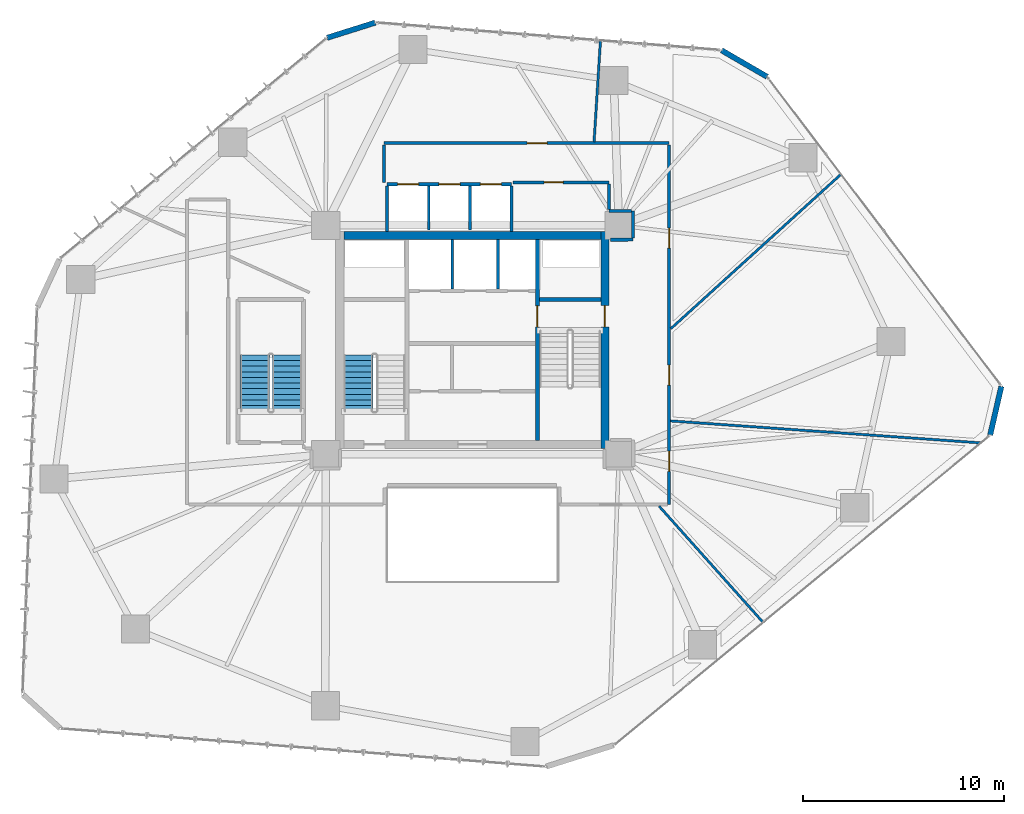
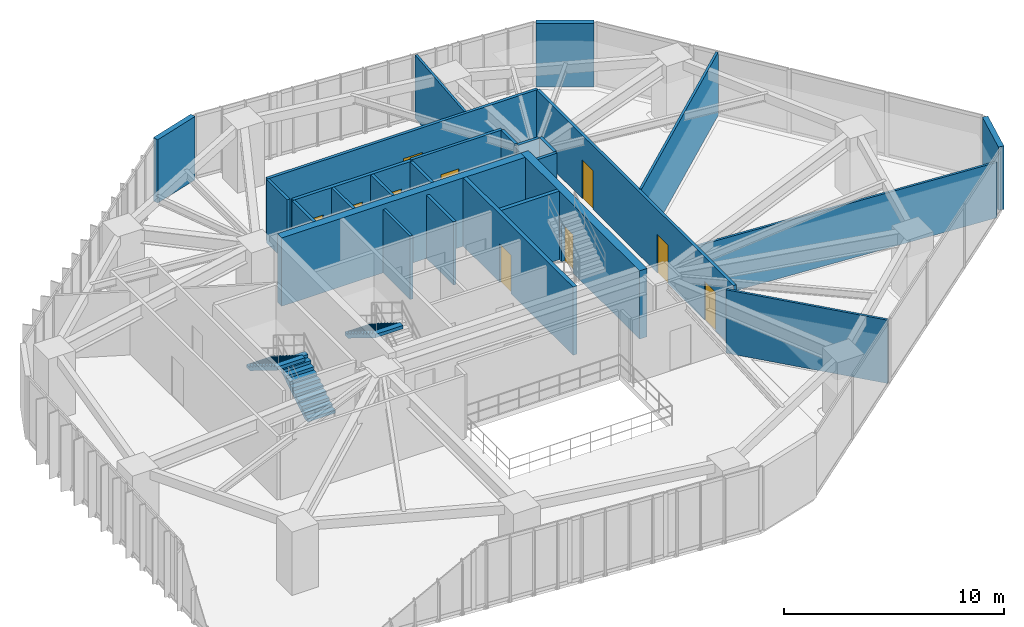
# One storey, part 19 of 23: 26 walls, 10 doors, 3 stair flights, 10 openings, 2 elements without a shape of their own.
"""IFC4 building model written with IfcOpenShell, lengths in metres."""

from ifc_helpers import new_model, si_unit, direction, frame, frame_2d, origin, place, context, subcontext, project, spatial, polyline, rectangle, outline, extrude, source, transform, mapped, material, layer, layer_set, type_object, type_shapes, element, fill, aggregate, save


model = new_model("IFC4")

# Units and contexts
model_context = context("Model", 3, precision=1e-05, world=origin(), true_north=direction((0.0, 1.0)))
body_context = subcontext(model_context, "Body", "Model", "MODEL_VIEW")
ifc_project = project(units=[si_unit("LENGTHUNIT", "METRE"), si_unit("AREAUNIT", "SQUARE_METRE"), si_unit("VOLUMEUNIT", "CUBIC_METRE"), si_unit("PLANEANGLEUNIT", "RADIAN"), si_unit("MASSUNIT", "GRAM", prefix="KILO")], contexts=[model_context])

# Site, building, storey
site_placement = place(None, origin())
site = spatial("IfcSite", under=ifc_project, at=site_placement, CompositionType="ELEMENT")
building_placement = place(site_placement, origin())
building = spatial("IfcBuilding", under=site, at=building_placement, Name="Talar Marvaseh", CompositionType="ELEMENT")
storey_placement = place(building_placement, frame((0.0, 0.0, 77.199951171875)))
storey = spatial("IfcBuildingStorey", under=building, at=storey_placement, Name="L19", CompositionType="ELEMENT", Elevation=77.199951171875)

# Walls
ifc_material_1 = material(Name="Precast concrete C45/55", Category="concrete")
ifc_layer_1 = layer(ifc_material_1, 0.27001953125)
ifc_layer_set_1 = layer_set([ifc_layer_1], Name="Precast concrete C45/55")
wall_type_1 = type_object("IfcWallType", Name="Chamfered Hexagonal Corner Pier Wall Z1 270", PredefinedType="SOLIDWALL", material=ifc_layer_set_1)
wall_1_placement = place(storey_placement, frame((18.77099609375, 46.24365234375, 0.0), z_axis=(0.0, 0.0, 1.0), x_axis=(0.953718948619, 0.300699462994, 0.0)))
element("IfcWall", 1, at=wall_1_placement, inside=storey, type_object=wall_type_1, Name="L19 Chamfered Corner Limestone Pier 3", PredefinedType="SOLIDWALL", context=body_context, shape_type="SweptSolid", body=[
    extrude(rectangle(XDim=2.51611328125, YDim=0.27001953125, at=frame_2d((1.258056640625, 0.0))), origin(), (0.0, 0.0, 1.0), 3.52001953125),
])
wall_2_placement = place(storey_placement, frame((38.41162109375, 45.621337890625, 0.0), z_axis=(0.0, 0.0, 1.0), x_axis=(0.864907560667, -0.501931182038, 0.0)))
element("IfcWall", 2, at=wall_2_placement, inside=storey, type_object=wall_type_1, Name="L19 Chamfered Corner Limestone Pier 4", PredefinedType="SOLIDWALL", context=body_context, shape_type="SweptSolid", body=[
    extrude(rectangle(XDim=2.623291015625, YDim=0.27001953125, at=frame_2d((1.3115234375, 0.0))), origin(), (0.0, 0.0, 1.0), 3.52001953125),
])
wall_3_placement = place(storey_placement, frame((52.344970703125, 28.8837890625, 0.0), z_axis=(0.0, 0.0, 1.0), x_axis=(-0.223689349605, -0.974660492106, 0.0)))
element("IfcWall", 3, at=wall_3_placement, inside=storey, type_object=wall_type_1, Name="L19 Chamfered Corner Limestone Pier 5", PredefinedType="SOLIDWALL", context=body_context, shape_type="SweptSolid", body=[
    extrude(rectangle(XDim=2.484130859375, YDim=0.27001953125, at=frame_2d((1.2421875, 0.0))), origin(), (0.0, 0.0, 1.0), 3.52001953125),
])

# Wall, opening, door
ifc_material_2 = material(Name="Gypsum Board Partition Assembly")
ifc_layer_2 = layer(ifc_material_2, 0.155029296875)
ifc_layer_set_2 = layer_set([ifc_layer_2], Name="Gypsum Board Partition Assembly")
wall_type_2 = type_object("IfcWallType", Name="Corridor Fire-Rated Acoustic Partition 155", PredefinedType="PARTITIONING", material=ifc_layer_set_2)
wall_4_placement = place(storey_placement, frame((32.800048828125, 39.0400390625, 0.0), z_axis=(0.0, 0.0, 1.0), x_axis=(-1.0, 0.0, 0.0)))
wall_4 = element("IfcWall", 4, at=wall_4_placement, inside=storey, type_object=wall_type_2, Name="L19 Interior Partition Wall", PredefinedType="PARTITIONING", context=body_context, shape_type="SweptSolid", body=[
    extrude(rectangle(XDim=4.77001953125, YDim=0.155029296875, at=frame_2d((2.385009765625, 0.0))), origin(), (0.0, 0.0, 1.0), 3.52001953125),
])
opening_1_placement = place(wall_4_placement, frame((2.27392578125, 0.0, 0.0)))
opening_1 = element("IfcOpeningElement", 5, at=opening_1_placement, cuts=wall_4, Name="Opening DR-WC095", PredefinedType="OPENING", context=body_context, shape_type="SweptSolid", body=[
    extrude(rectangle(XDim=0.949951171875, YDim=2.14990234375, at=frame_2d((0.47509765625, 1.074951171875))), frame((0.0, 0.08740234375, 0.0), z_axis=(0.0, -1.0, 0.0), x_axis=(1.0, 0.0, 0.0)), (0.0, 0.0, 1.0), 0.175048828125),
])
ifc_material_3 = material(Name="Acoustic Engineered Oak Timber", Category="wood")
door_type_1 = type_object("IfcDoorType", Name="Washroom and Service Room Door 950x2150", OperationType="NOTDEFINED", PredefinedType="DOOR", material=ifc_material_3)
shared_shape_1 = source(origin(), body_context, "Body", "SweptSolid", [
    extrude(rectangle(XDim=0.949951171875, YDim=2.14990234375, at=frame_2d((0.47509765625, 1.074951171875))), frame((0.0, 0.02490234375, 0.0), z_axis=(0.0, -1.0, 0.0), x_axis=(1.0, 0.0, 0.0)), (0.0, 0.0, 1.0), 0.050048828125),
])
type_shapes(door_type_1, [shared_shape_1])
door_1_placement = place(opening_1_placement, origin())
door_1 = element("IfcDoor", 6, at=door_1_placement, inside=storey, type_object=door_type_1, Name="L19 Accessible WC Door", OperationType="SINGLE_SWING_RIGHT", OverallHeight=2.14990234375, OverallWidth=0.949951171875, PredefinedType="DOOR", context=body_context, shape_type="MappedRepresentation", body=[
    mapped(shared_shape_1, transform((0.0, 0.0, 0.0), x_axis=(1.0, 0.0, 0.0), y_axis=(0.0, 1.0, 0.0), z_axis=(0.0, 0.0, 1.0), scale=1.0)),
])
fill(opening_1, door_1)

wall_5_placement = place(storey_placement, frame((21.60009765625, 41.0, 0.0), z_axis=(0.0, 0.0, 1.0), x_axis=(1.0, 0.0, 0.0)))
wall_5 = element("IfcWall", 7, at=wall_5_placement, inside=storey, type_object=wall_type_2, Name="L19 Interior Partition Wall", PredefinedType="PARTITIONING", context=body_context, shape_type="SweptSolid", body=[
    extrude(rectangle(XDim=14.199951171875, YDim=0.155029296875, at=frame_2d((7.10009765625, 0.0))), origin(), (0.0, 0.0, 1.0), 3.52001953125),
])
opening_2_placement = place(wall_5_placement, frame((7.1298828125, 0.0, 0.0)))
opening_2 = element("IfcOpeningElement", 8, at=opening_2_placement, cuts=wall_5, Name="Opening DR-RM100", PredefinedType="OPENING", context=body_context, shape_type="SweptSolid", body=[
    extrude(rectangle(XDim=1.0, YDim=2.14990234375, at=frame_2d((0.5, 1.074951171875))), frame((0.0, 0.08740234375, 0.0), z_axis=(0.0, -1.0, 0.0), x_axis=(1.0, 0.0, 0.0)), (0.0, 0.0, 1.0), 0.175048828125),
])
door_type_2 = type_object("IfcDoorType", Name="Corridor Fire-Rated Gallery Door 1000x2150", OperationType="NOTDEFINED", PredefinedType="DOOR", material=ifc_material_3)
shared_shape_2 = source(origin(), body_context, "Body", "SweptSolid", [
    extrude(rectangle(XDim=1.0, YDim=2.14990234375, at=frame_2d((0.5, 1.074951171875))), frame((0.0, 0.02490234375, 0.0), z_axis=(0.0, -1.0, 0.0), x_axis=(1.0, 0.0, 0.0)), (0.0, 0.0, 1.0), 0.050048828125),
])
type_shapes(door_type_2, [shared_shape_2])
door_2_placement = place(opening_2_placement, origin())
door_2 = element("IfcDoor", 9, at=door_2_placement, inside=storey, type_object=door_type_2, Name="L19 Chamber Recital Salon Door", OperationType="SINGLE_SWING_LEFT", OverallHeight=2.14990234375, OverallWidth=1.0, PredefinedType="DOOR", context=body_context, shape_type="MappedRepresentation", body=[
    mapped(shared_shape_2, transform((0.0, 0.0, 0.0), x_axis=(1.0, 0.0, 0.0), y_axis=(0.0, 1.0, 0.0), z_axis=(0.0, 0.0, 1.0), scale=1.0)),
])
fill(opening_2, door_2)

# Wall, openings, doors
wall_6_placement = place(storey_placement, frame((35.800048828125, 40.91650390625, 0.0), z_axis=(0.0, 0.0, 1.0), x_axis=(0.0, -1.0, 0.0)))
wall_6 = element("IfcWall", 10, at=wall_6_placement, inside=storey, type_object=wall_type_2, Name="L19 Interior Partition Wall", PredefinedType="PARTITIONING", context=body_context, shape_type="SweptSolid", body=[
    extrude(rectangle(XDim=17.91650390625, YDim=0.155029296875, at=frame_2d((8.958251953125, 0.0))), origin(), (0.0, 0.0, 1.0), 3.52001953125),
])
opening_3_placement = place(wall_6_placement, frame((15.259521484375, 0.0, 0.0)))
opening_3 = element("IfcOpeningElement", 11, at=opening_3_placement, cuts=wall_6, Name="Opening DR-RM100", PredefinedType="OPENING", context=body_context, shape_type="SweptSolid", body=[
    extrude(rectangle(XDim=1.0, YDim=2.14990234375, at=frame_2d((0.5, 1.074951171875))), frame((0.0, 0.08740234375, 0.0), z_axis=(0.0, -1.0, 0.0), x_axis=(1.0, 0.0, 0.0)), (0.0, 0.0, 1.0), 0.175048828125),
])
opening_4_placement = place(wall_6_placement, frame((10.967041015625, 0.0, 0.0)))
opening_4 = element("IfcOpeningElement", 12, at=opening_4_placement, cuts=wall_6, Name="Opening DR-RM100", PredefinedType="OPENING", context=body_context, shape_type="SweptSolid", body=[
    extrude(rectangle(XDim=1.0, YDim=2.14990234375, at=frame_2d((0.5, 1.074951171875))), frame((0.0, 0.08740234375, 0.0), z_axis=(0.0, -1.0, 0.0), x_axis=(1.0, 0.0, 0.0)), (0.0, 0.0, 1.0), 0.175048828125),
])
opening_5_placement = place(wall_6_placement, frame((4.1484375, 0.0, 0.0)))
opening_5 = element("IfcOpeningElement", 13, at=opening_5_placement, cuts=wall_6, Name="Opening DR-RM100", PredefinedType="OPENING", context=body_context, shape_type="SweptSolid", body=[
    extrude(rectangle(XDim=1.0, YDim=2.14990234375, at=frame_2d((0.5, 1.074951171875))), frame((0.0, 0.08740234375, 0.0), z_axis=(0.0, -1.0, 0.0), x_axis=(1.0, 0.0, 0.0)), (0.0, 0.0, 1.0), 0.175048828125),
])
door_3_placement = place(opening_3_placement, origin())
door_3 = element("IfcDoor", 14, at=door_3_placement, inside=storey, type_object=door_type_2, Name="L19 Curatorial Staff Control Room Door", OperationType="SINGLE_SWING_LEFT", OverallHeight=2.14990234375, OverallWidth=1.0, PredefinedType="DOOR", context=body_context, shape_type="MappedRepresentation", body=[
    mapped(shared_shape_2, transform((0.0, 0.0, 0.0), x_axis=(1.0, 0.0, 0.0), y_axis=(0.0, 1.0, 0.0), z_axis=(0.0, 0.0, 1.0), scale=1.0)),
])
fill(opening_3, door_3)
door_4_placement = place(opening_4_placement, origin())
door_4 = element("IfcDoor", 15, at=door_4_placement, inside=storey, type_object=door_type_2, Name="L19 Main Reading Room Door", OperationType="SINGLE_SWING_RIGHT", OverallHeight=2.14990234375, OverallWidth=1.0, PredefinedType="DOOR", context=body_context, shape_type="MappedRepresentation", body=[
    mapped(shared_shape_2, transform((0.0, 0.0, 0.0), x_axis=(1.0, 0.0, 0.0), y_axis=(0.0, 1.0, 0.0), z_axis=(0.0, 0.0, 1.0), scale=1.0)),
])
fill(opening_4, door_4)
door_5_placement = place(opening_5_placement, origin())
door_5 = element("IfcDoor", 16, at=door_5_placement, inside=storey, type_object=door_type_2, Name="L19 Registrar Mail and Post Room Door", OperationType="SINGLE_SWING_LEFT", OverallHeight=2.14990234375, OverallWidth=1.0, PredefinedType="DOOR", context=body_context, shape_type="MappedRepresentation", body=[
    mapped(shared_shape_2, transform((0.0, 0.0, 0.0), x_axis=(1.0, 0.0, 0.0), y_axis=(0.0, 1.0, 0.0), z_axis=(0.0, 0.0, 1.0), scale=1.0)),
])
fill(opening_5, door_5)

# Walls
wall_7_placement = place(storey_placement, frame((32.8701171875, 36.18505859375, 0.0), z_axis=(0.0, 0.0, 1.0), x_axis=(0.999988932255, 0.00470482389, 0.0)))
element("IfcWall", 17, at=wall_7_placement, inside=storey, type_object=wall_type_2, Name="L19 Interior Partition Wall", PredefinedType="PARTITIONING", context=body_context, shape_type="SweptSolid", body=[
    extrude(rectangle(XDim=1.1416015625, YDim=0.155029296875, at=frame_2d((0.57080078125, 0.0))), origin(), (0.0, 0.0, 1.0), 3.52001953125),
])
wall_8_placement = place(storey_placement, frame((34.01171875, 36.27392578125, 0.0), z_axis=(0.0, 0.0, 1.0), x_axis=(0.0, 1.0, 0.0)))
element("IfcWall", 18, at=wall_8_placement, inside=storey, type_object=wall_type_2, Name="L19 Interior Partition Wall", PredefinedType="PARTITIONING", context=body_context, shape_type="SweptSolid", body=[
    extrude(rectangle(XDim=1.335693359375, YDim=0.155029296875, at=frame_2d((0.66796875, 0.0))), origin(), (0.0, 0.0, 1.0), 3.52001953125),
])
wall_9_placement = place(storey_placement, frame((33.927978515625, 37.60986328125, 0.0), z_axis=(0.0, 0.0, 1.0), x_axis=(-0.999989669582, 0.004545407589, 0.0)))
element("IfcWall", 19, at=wall_9_placement, inside=storey, type_object=wall_type_2, Name="L19 Interior Partition Wall", PredefinedType="PARTITIONING", context=body_context, shape_type="SweptSolid", body=[
    extrude(rectangle(XDim=1.1279296875, YDim=0.155029296875, at=frame_2d((0.56396484375, 0.0))), origin(), (0.0, 0.0, 1.0), 3.52001953125),
])
wall_10_placement = place(storey_placement, frame((32.800048828125, 37.698486328125, 0.0), z_axis=(0.0, 0.0, 1.0), x_axis=(0.0, 1.0, 0.0)))
element("IfcWall", 20, at=wall_10_placement, inside=storey, type_object=wall_type_2, Name="L19 Interior Partition Wall", PredefinedType="PARTITIONING", context=body_context, shape_type="SweptSolid", body=[
    extrude(rectangle(XDim=1.258056640625, YDim=0.155029296875, at=frame_2d((0.62890625, 0.0))), origin(), (0.0, 0.0, 1.0), 3.52001953125),
])
wall_11_placement = place(storey_placement, frame((21.60009765625, 39.0400390625, 0.0), z_axis=(0.0, 0.0, 1.0), x_axis=(0.0, 1.0, 0.0)))
element("IfcWall", 21, at=wall_11_placement, inside=storey, type_object=wall_type_2, Name="L19 Interior Partition Wall", PredefinedType="PARTITIONING", context=body_context, shape_type="SweptSolid", body=[
    extrude(rectangle(XDim=1.87646484375, YDim=0.155029296875, at=frame_2d((0.938232421875, 0.0))), origin(), (0.0, 0.0, 1.0), 3.52001953125),
])
ifc_layer_3 = layer(ifc_material_2, 0.1201171875)
ifc_layer_set_3 = layer_set([ifc_layer_3], Name="Gypsum Board Partition Assembly")
wall_type_3 = type_object("IfcWallType", Name="Demountable Studio Room Partition 120", PredefinedType="PARTITIONING", material=ifc_layer_set_3)
wall_12_placement = place(storey_placement, frame((35.3046875, 22.91650390625, 0.0), z_axis=(0.0, 0.0, 1.0), x_axis=(0.666949724542, -0.745102721062, 0.0)))
element("IfcWall", 22, at=wall_12_placement, inside=storey, type_object=wall_type_3, Name="L19 Interior Partition Wall", PredefinedType="PARTITIONING", context=body_context, shape_type="SweptSolid", body=[
    extrude(rectangle(XDim=7.740966796875, YDim=0.1201171875, at=frame_2d((3.87060546875, 0.0))), origin(), (0.0, 0.0, 1.0), 3.52001953125),
])
wall_13_placement = place(storey_placement, frame((35.86474609375, 27.165283203125, 0.0), z_axis=(0.0, 0.0, 1.0), x_axis=(0.997502378002, -0.07063289517, 0.0)))
element("IfcWall", 23, at=wall_13_placement, inside=storey, type_object=wall_type_3, Name="L19 Interior Partition Wall", PredefinedType="PARTITIONING", context=body_context, shape_type="SweptSolid", body=[
    extrude(rectangle(XDim=15.4814453125, YDim=0.1201171875, at=frame_2d((7.74072265625, 0.0))), origin(), (0.0, 0.0, 1.0), 3.08203125),
])
wall_14_placement = place(storey_placement, frame((35.883544921875, 31.755859375, 0.0), z_axis=(0.0, 0.0, 1.0), x_axis=(0.740577829523, 0.671970593419, 0.0)))
element("IfcWall", 24, at=wall_14_placement, inside=storey, type_object=wall_type_3, Name="L19 Interior Partition Wall", PredefinedType="PARTITIONING", context=body_context, shape_type="SweptSolid", body=[
    extrude(rectangle(XDim=11.426513671875, YDim=0.1201171875, at=frame_2d((5.71337890625, 0.0))), origin(), (0.0, 0.0, 1.0), 3.52001953125),
])
wall_15_placement = place(storey_placement, frame((32.064208984375, 41.06494140625, 0.0), z_axis=(0.0, 0.0, 1.0), x_axis=(0.063012963116, 0.998012708576, 0.0)))
element("IfcWall", 25, at=wall_15_placement, inside=storey, type_object=wall_type_3, Name="L19 Interior Partition Wall", PredefinedType="PARTITIONING", context=body_context, shape_type="SweptSolid", body=[
    extrude(rectangle(XDim=5.029052734375, YDim=0.1201171875, at=frame_2d((2.5146484375, 0.0))), origin(), (0.0, 0.0, 1.0), 3.52001953125),
])
ifc_layer_4 = layer(ifc_material_1, 0.14501953125)
ifc_layer_set_4 = layer_set([ifc_layer_4], Name="Precast concrete C45/55")
wall_type_4 = type_object("IfcWallType", Name="Fire-Rated Lift Divider Wall 145", PredefinedType="SOLIDWALL", material=ifc_layer_set_4)
for number, where, z_axis, x_axis, name in (
    (26, (25.0, 33.743408203125, 0.0), (0.0, 0.0, 1.0), (0.0, 1.0, 0.0), "L19 FFL-1/FFL-2 Divider"),
    (27, (27.280029296875, 33.743408203125, 0.0), (0.0, 0.0, 1.0), (0.0, 1.0, 0.0), "L19 FFL-2/SVL-1 Divider"),
):
    element("IfcWall", number, at=place(storey_placement, frame(where, z_axis=z_axis, x_axis=x_axis)), inside=storey, type_object=wall_type_4, Name=name, PredefinedType="SOLIDWALL", context=body_context, shape_type="SweptSolid", body=[
        extrude(rectangle(XDim=2.45654296875, YDim=0.14501953125, at=frame_2d((1.228271484375, 0.0))), origin(), (0.0, 0.0, 1.0), 3.52001953125),
    ])
for number, where, z_axis, x_axis, name in (
    (28, (21.760009765625, 36.60009765625, 0.0), (0.0, 0.0, 1.0), (0.0, 1.0, 0.0), "L19 Low-Rise Bank West Wall"),
    (29, (27.9599609375, 36.60009765625, 0.0), (0.0, 0.0, 1.0), (0.0, 1.0, 0.0), "L19 Low-Rise Bank East Wall"),
):
    element("IfcWall", number, at=place(storey_placement, frame(where, z_axis=z_axis, x_axis=x_axis)), inside=storey, type_object=wall_type_4, Name=name, PredefinedType="SOLIDWALL", context=body_context, shape_type="SweptSolid", body=[
        extrude(rectangle(XDim=2.266357421875, YDim=0.14501953125, at=frame_2d((1.13330078125, 0.0))), origin(), (0.0, 0.0, 1.0), 3.52001953125),
    ])
for number, where, z_axis, x_axis, name in (
    (30, (23.830078125, 36.659912109375, 0.0), (0.0, 0.0, 1.0), (0.0, 1.0, 0.0), "L19 PL-L1/PL-L2 Divider"),
    (31, (25.889892578125, 36.659912109375, 0.0), (0.0, 0.0, 1.0), (0.0, 1.0, 0.0), "L19 PL-L2/PL-L3 Divider"),
):
    element("IfcWall", number, at=place(storey_placement, frame(where, z_axis=z_axis, x_axis=x_axis)), inside=storey, type_object=wall_type_4, Name=name, PredefinedType="SOLIDWALL", context=body_context, shape_type="SweptSolid", body=[
        extrude(rectangle(XDim=2.20654296875, YDim=0.14501953125, at=frame_2d((1.103271484375, 0.0))), origin(), (0.0, 0.0, 1.0), 3.52001953125),
    ])

# Wall, openings, doors
ifc_layer_5 = layer(ifc_material_1, 0.175048828125)
ifc_layer_set_5 = layer_set([ifc_layer_5], Name="Precast concrete C45/55")
wall_type_5 = type_object("IfcWallType", Name="Fire-Rated Lift Hoistway Enclosure Wall 175", PredefinedType="SOLIDWALL", material=ifc_layer_set_5)
wall_16_placement = place(storey_placement, frame((21.760009765625, 38.9599609375, 0.0), z_axis=(0.0, 0.0, 1.0), x_axis=(1.0, 0.0, 0.0)))
wall_16 = element("IfcWall", 32, at=wall_16_placement, inside=storey, type_object=wall_type_5, Name="L19 Low-Rise Lift Bank Front Wall", PredefinedType="SOLIDWALL", context=body_context, shape_type="SweptSolid", body=[
    extrude(rectangle(XDim=6.199951171875, YDim=0.175048828125, at=frame_2d((3.10009765625, 0.0))), origin(), (0.0, 0.0, 1.0), 3.52001953125),
])
opening_6_placement = place(wall_16_placement, frame((0.52001953125, 0.0, 0.0)))
opening_6 = element("IfcOpeningElement", 33, at=opening_6_placement, cuts=wall_16, Name="Opening LD-PLL1", PredefinedType="OPENING", context=body_context, shape_type="SweptSolid", body=[
    extrude(rectangle(XDim=1.050048828125, YDim=2.14990234375, at=frame_2d((0.52490234375, 1.074951171875))), frame((0.0, 0.09765625, 0.0), z_axis=(0.0, -1.0, 0.0), x_axis=(1.0, 0.0, 0.0)), (0.0, 0.0, 1.0), 0.195068359375),
])
opening_7_placement = place(wall_16_placement, frame((2.580078125, 0.0, 0.0)))
opening_7 = element("IfcOpeningElement", 34, at=opening_7_placement, cuts=wall_16, Name="Opening LD-PLL2", PredefinedType="OPENING", context=body_context, shape_type="SweptSolid", body=[
    extrude(rectangle(XDim=1.050048828125, YDim=2.14990234375, at=frame_2d((0.52490234375, 1.074951171875))), frame((0.0, 0.09765625, 0.0), z_axis=(0.0, -1.0, 0.0), x_axis=(1.0, 0.0, 0.0)), (0.0, 0.0, 1.0), 0.195068359375),
])
opening_8_placement = place(wall_16_placement, frame((4.639892578125, 0.0, 0.0)))
opening_8 = element("IfcOpeningElement", 35, at=opening_8_placement, cuts=wall_16, Name="Opening LD-PLL3", PredefinedType="OPENING", context=body_context, shape_type="SweptSolid", body=[
    extrude(rectangle(XDim=1.050048828125, YDim=2.14990234375, at=frame_2d((0.52490234375, 1.074951171875))), frame((0.0, 0.09765625, 0.0), z_axis=(0.0, -1.0, 0.0), x_axis=(1.0, 0.0, 0.0)), (0.0, 0.0, 1.0), 0.195068359375),
])
ifc_material_4 = material(Name="Stainless Steel Grade 316", Category="steel")
door_type_3 = type_object("IfcDoorType", Name="Automatic Sliding Lift Landing Door 1050x2150", OperationType="NOTDEFINED", PredefinedType="DOOR", material=ifc_material_4)
shared_shape_3 = source(origin(), body_context, "Body", "SweptSolid", [
    extrude(rectangle(XDim=1.050048828125, YDim=2.14990234375, at=frame_2d((0.52490234375, 1.074951171875))), frame((0.0, 0.02490234375, 0.0), z_axis=(0.0, -1.0, 0.0), x_axis=(1.0, 0.0, 0.0)), (0.0, 0.0, 1.0), 0.050048828125),
])
type_shapes(door_type_3, [shared_shape_3])
door_6_placement = place(opening_6_placement, origin())
door_6 = element("IfcDoor", 36, at=door_6_placement, inside=storey, type_object=door_type_3, Name="L19 Lift PL-L1 Sliding Landing Door", OperationType="SLIDING_TO_LEFT", OverallHeight=2.14990234375, OverallWidth=1.050048828125, PredefinedType="DOOR", context=body_context, shape_type="MappedRepresentation", body=[
    mapped(shared_shape_3, transform((0.0, 0.0, 0.0), x_axis=(1.0, 0.0, 0.0), y_axis=(0.0, 1.0, 0.0), z_axis=(0.0, 0.0, 1.0), scale=1.0)),
])
fill(opening_6, door_6)
door_7_placement = place(opening_7_placement, origin())
door_7 = element("IfcDoor", 37, at=door_7_placement, inside=storey, type_object=door_type_3, Name="L19 Lift PL-L2 Sliding Landing Door", OperationType="SLIDING_TO_LEFT", OverallHeight=2.14990234375, OverallWidth=1.050048828125, PredefinedType="DOOR", context=body_context, shape_type="MappedRepresentation", body=[
    mapped(shared_shape_3, transform((0.0, 0.0, 0.0), x_axis=(1.0, 0.0, 0.0), y_axis=(0.0, 1.0, 0.0), z_axis=(0.0, 0.0, 1.0), scale=1.0)),
])
fill(opening_7, door_7)
door_8_placement = place(opening_8_placement, origin())
door_8 = element("IfcDoor", 38, at=door_8_placement, inside=storey, type_object=door_type_3, Name="L19 Lift PL-L3 Sliding Landing Door", OperationType="SLIDING_TO_LEFT", OverallHeight=2.14990234375, OverallWidth=1.050048828125, PredefinedType="DOOR", context=body_context, shape_type="MappedRepresentation", body=[
    mapped(shared_shape_3, transform((0.0, 0.0, 0.0), x_axis=(1.0, 0.0, 0.0), y_axis=(0.0, 1.0, 0.0), z_axis=(0.0, 0.0, 1.0), scale=1.0)),
])
fill(opening_8, door_8)

# Wall, opening, door
ifc_material_5 = material(Name="Concrete C70/85", Category="concrete")
ifc_layer_6 = layer(ifc_material_5, 0.39990234375)
ifc_layer_set_6 = layer_set([ifc_layer_6], Name="Concrete C70/85")
wall_type_6 = type_object("IfcWallType", Name="Lower Core Reinforced Concrete Shear Wall 400", PredefinedType="SHEAR", material=ifc_layer_set_6)
wall_17_placement = place(storey_placement, frame((32.60009765625, 36.60009765625, 0.0), z_axis=(0.0, 0.0, 1.0), x_axis=(0.0, -1.0, 0.0)))
wall_17 = element("IfcWall", 39, at=wall_17_placement, inside=storey, type_object=wall_type_6, Name="L19 East Core Shear Wall", PredefinedType="SHEAR", context=body_context, shape_type="SweptSolid", body=[
    extrude(rectangle(XDim=10.800048828125, YDim=0.39990234375, at=frame_2d((5.39990234375, 0.0))), origin(), (0.0, 0.0, 1.0), 3.800048828125),
])
opening_9_placement = place(wall_17_placement, frame((3.699951171875, 0.0, 0.0)))
opening_9 = element("IfcOpeningElement", 40, at=opening_9_placement, cuts=wall_17, Name="Opening DR-ST105", PredefinedType="OPENING", context=body_context, shape_type="SweptSolid", body=[
    extrude(rectangle(XDim=1.050048828125, YDim=2.14990234375, at=frame_2d((0.52490234375, 1.074951171875))), frame((0.0, 0.2099609375, 0.0), z_axis=(0.0, -1.0, 0.0), x_axis=(1.0, 0.0, 0.0)), (0.0, 0.0, 1.0), 0.419921875),
])
ifc_material_6 = material(Name="Fire-Rated Steel Door Leaf", Category="steel")
door_type_4 = type_object("IfcDoorType", Name="Protected Exit Stair Fire Door 1050x2150", OperationType="NOTDEFINED", PredefinedType="DOOR", material=ifc_material_6)
shared_shape_4 = source(origin(), body_context, "Body", "SweptSolid", [
    extrude(rectangle(XDim=1.050048828125, YDim=2.14990234375, at=frame_2d((0.52490234375, 1.074951171875))), frame((0.0, 0.02490234375, 0.0), z_axis=(0.0, -1.0, 0.0), x_axis=(1.0, 0.0, 0.0)), (0.0, 0.0, 1.0), 0.050048828125),
])
type_shapes(door_type_4, [shared_shape_4])
door_9_placement = place(opening_9_placement, origin())
door_9 = element("IfcDoor", 41, at=door_9_placement, inside=storey, type_object=door_type_4, Name="L19 Stair ST-2 Corridor Exit Door", OperationType="SINGLE_SWING_LEFT", OverallHeight=2.14990234375, OverallWidth=1.050048828125, PredefinedType="DOOR", context=body_context, shape_type="MappedRepresentation", body=[
    mapped(shared_shape_4, transform((0.0, 0.0, 0.0), x_axis=(1.0, 0.0, 0.0), y_axis=(0.0, 1.0, 0.0), z_axis=(0.0, 0.0, 1.0), scale=1.0)),
])
fill(opening_9, door_9)

# Wall
wall_18_placement = place(storey_placement, frame((19.60009765625, 36.39990234375, 0.0), z_axis=(0.0, 0.0, 1.0), x_axis=(1.0, 0.0, 0.0)))
element("IfcWall", 42, at=wall_18_placement, inside=storey, type_object=wall_type_6, Name="L19 North Core Shear Wall", PredefinedType="SHEAR", context=body_context, shape_type="SweptSolid", body=[
    extrude(rectangle(XDim=12.7998046875, YDim=0.39990234375, at=frame_2d((6.39990234375, 0.0))), origin(), (0.0, 0.0, 1.0), 3.800048828125),
])

# Wall, opening, door
ifc_material_7 = material(Name="Concrete C50/60", Category="concrete")
ifc_layer_7 = layer(ifc_material_7, 0.199951171875)
ifc_layer_set_7 = layer_set([ifc_layer_7], Name="Concrete C50/60")
wall_type_7 = type_object("IfcWallType", Name="Stair Shaft Structural Concrete Shear Wall 200", PredefinedType="SHEAR", material=ifc_layer_set_7)
wall_19_placement = place(storey_placement, frame((29.239990234375, 26.199951171875, 0.0), z_axis=(0.0, 0.0, 1.0), x_axis=(0.0, 1.0, 0.0)))
wall_19 = element("IfcWall", 43, at=wall_19_placement, inside=storey, type_object=wall_type_7, Name="L19 Core East Stair Shear Wall", PredefinedType="SHEAR", context=body_context, shape_type="SweptSolid", body=[
    extrude(rectangle(XDim=10.0, YDim=0.199951171875, at=frame_2d((5.0, 0.0))), origin(), (0.0, 0.0, 1.0), 3.800048828125),
])
opening_10_placement = place(wall_19_placement, frame((5.64990234375, 0.0, 0.0)))
opening_10 = element("IfcOpeningElement", 44, at=opening_10_placement, cuts=wall_19, Name="Opening DR-ST105", PredefinedType="OPENING", context=body_context, shape_type="SweptSolid", body=[
    extrude(rectangle(XDim=1.050048828125, YDim=2.14990234375, at=frame_2d((0.52490234375, 1.074951171875))), frame((0.0, 0.10986328125, 0.0), z_axis=(0.0, -1.0, 0.0), x_axis=(1.0, 0.0, 0.0)), (0.0, 0.0, 1.0), 0.219970703125),
])
door_10_placement = place(opening_10_placement, origin())
door_10 = element("IfcDoor", 45, at=door_10_placement, inside=storey, type_object=door_type_4, Name="L19 Firefighting Lobby to Stair ST-2 Door", OperationType="SINGLE_SWING_LEFT", OverallHeight=2.14990234375, OverallWidth=1.050048828125, PredefinedType="DOOR", context=body_context, shape_type="MappedRepresentation", body=[
    mapped(shared_shape_4, transform((0.0, 0.0, 0.0), x_axis=(1.0, 0.0, 0.0), y_axis=(0.0, 1.0, 0.0), z_axis=(0.0, 0.0, 1.0), scale=1.0)),
])
fill(opening_10, door_10)

# Wall
wall_20_placement = place(storey_placement, frame((29.340087890625, 33.199951171875, 0.0), z_axis=(0.0, 0.0, 1.0), x_axis=(1.0, 0.0, 0.0)))
element("IfcWall", 46, at=wall_20_placement, inside=storey, type_object=wall_type_7, Name="L19 Stair ST-2 North Shear Wall", PredefinedType="SHEAR", context=body_context, shape_type="SweptSolid", body=[
    extrude(rectangle(XDim=3.059814453125, YDim=0.199951171875, at=frame_2d((1.52978515625, 0.0))), origin(), (0.0, 0.0, 1.0), 3.800048828125),
])

# Stair, stair flight
ifc_material_8 = material(Name="Concrete C40/50", Category="concrete")
stair_type = type_object("IfcStairType", Name="Reinforced Concrete Half-Turn Exit Stair Type B", PredefinedType="HALF_TURN_STAIR", material=ifc_material_8)
stair_1_placement = place(storey_placement, origin())
stair_1 = element("IfcStair", 47, at=stair_1_placement, inside=storey, type_object=stair_type, Name="L19 Tower West Core Exit Stair", PredefinedType="HALF_TURN_STAIR")
ifc_layer_8 = layer(ifc_material_8, 0.159912109375)
ifc_layer_set_8 = layer_set([ifc_layer_8], Name="Concrete C40/50")
stair_flight_type = type_object("IfcStairFlightType", Name="Reinforced Concrete Straight Stair Flight 160", PredefinedType="STRAIGHT", material=ifc_layer_set_8)
stair_flight_1_placement = place(storey_placement, frame((20.324951171875, 30.449951171875, 1.900146484375), z_axis=(0.0, 0.0, 1.0), x_axis=(0.0, -1.0, 0.0)))
stair_flight_1 = element("IfcStairFlight", 48, at=stair_flight_1_placement, type_object=stair_flight_type, Name="ST-1 flight 2", NumberOfRisers=11, NumberOfTreads=10, PredefinedType="STRAIGHT", RiserHeight=0.172727273, TreadLength=0.28, context=body_context, shape_type="SweptSolid", body=[
    extrude(outline(polyline([(0.0, 0.0), (0.0, 0.172607421875), (0.280029296875, 0.172607421875), (0.280029296875, 0.345458984375), (0.56005859375, 0.345458984375), (0.56005859375, 0.51806640625), (0.840087890625, 0.51806640625), (0.840087890625, 0.69091796875), (1.1201171875, 0.69091796875), (1.1201171875, 0.863525390625), (1.39990234375, 0.863525390625), (1.39990234375, 1.036376953125), (1.679931640625, 1.036376953125), (1.679931640625, 1.208984375), (1.9599609375, 1.208984375), (1.9599609375, 1.3818359375), (2.239990234375, 1.3818359375), (2.239990234375, 1.554443359375), (2.52001953125, 1.554443359375), (2.52001953125, 1.727294921875), (2.800048828125, 1.727294921875), (2.800048828125, 1.89990234375), (2.800048828125, 1.539306640625), (0.3046875, 0.0), (0.0, 0.0)])), frame((0.0, 0.72509765625, 0.0), z_axis=(0.0, -1.0, 0.0), x_axis=(1.0, 0.0, 0.0)), (0.0, 0.0, 1.0), 1.449951171875),
])
aggregate(stair_1, [stair_flight_1])

# Stair, stair flights
stair_2_placement = place(storey_placement, origin())
stair_2 = element("IfcStair", 49, at=stair_2_placement, inside=storey, type_object=stair_type, Name="L19 Museum & Podium Auxiliary Exit Stair", PredefinedType="HALF_TURN_STAIR")
stair_flight_2_placement = place(storey_placement, frame((16.77490234375, 27.64990234375, 0.0), z_axis=(0.0, 0.0, 1.0), x_axis=(0.0, 1.0, 0.0)))
stair_flight_2 = element("IfcStairFlight", 50, at=stair_flight_2_placement, type_object=stair_flight_type, Name="ST-3 flight 1", NumberOfRisers=11, NumberOfTreads=10, PredefinedType="STRAIGHT", RiserHeight=0.172727273, TreadLength=0.28, context=body_context, shape_type="SweptSolid", body=[
    extrude(outline(polyline([(0.0, 0.0), (0.0, 0.172607421875), (0.280029296875, 0.172607421875), (0.280029296875, 0.345458984375), (0.56005859375, 0.345458984375), (0.56005859375, 0.51806640625), (0.840087890625, 0.51806640625), (0.840087890625, 0.69091796875), (1.1201171875, 0.69091796875), (1.1201171875, 0.863525390625), (1.39990234375, 0.863525390625), (1.39990234375, 1.036376953125), (1.679931640625, 1.036376953125), (1.679931640625, 1.208984375), (1.9599609375, 1.208984375), (1.9599609375, 1.3818359375), (2.239990234375, 1.3818359375), (2.239990234375, 1.554443359375), (2.52001953125, 1.554443359375), (2.52001953125, 1.727294921875), (2.800048828125, 1.727294921875), (2.800048828125, 1.89990234375), (2.800048828125, 1.539306640625), (0.3046875, 0.0), (0.0, 0.0)])), frame((0.0, 0.72509765625, 0.0), z_axis=(0.0, -1.0, 0.0), x_axis=(1.0, 0.0, 0.0)), (0.0, 0.0, 1.0), 1.449951171875),
])
stair_flight_3_placement = place(storey_placement, frame((15.1650390625, 30.449951171875, 1.900146484375), z_axis=(0.0, 0.0, 1.0), x_axis=(0.0, -1.0, 0.0)))
stair_flight_3 = element("IfcStairFlight", 51, at=stair_flight_3_placement, type_object=stair_flight_type, Name="ST-3 flight 2", NumberOfRisers=11, NumberOfTreads=10, PredefinedType="STRAIGHT", RiserHeight=0.172727273, TreadLength=0.28, context=body_context, shape_type="SweptSolid", body=[
    extrude(outline(polyline([(0.0, 0.0), (0.0, 0.172607421875), (0.280029296875, 0.172607421875), (0.280029296875, 0.345458984375), (0.56005859375, 0.345458984375), (0.56005859375, 0.51806640625), (0.840087890625, 0.51806640625), (0.840087890625, 0.69091796875), (1.1201171875, 0.69091796875), (1.1201171875, 0.863525390625), (1.39990234375, 0.863525390625), (1.39990234375, 1.036376953125), (1.679931640625, 1.036376953125), (1.679931640625, 1.208984375), (1.9599609375, 1.208984375), (1.9599609375, 1.3818359375), (2.239990234375, 1.3818359375), (2.239990234375, 1.554443359375), (2.52001953125, 1.554443359375), (2.52001953125, 1.727294921875), (2.800048828125, 1.727294921875), (2.800048828125, 1.89990234375), (2.800048828125, 1.539306640625), (0.3046875, 0.0), (0.0, 0.0)])), frame((0.0, 0.72509765625, 0.0), z_axis=(0.0, -1.0, 0.0), x_axis=(1.0, 0.0, 0.0)), (0.0, 0.0, 1.0), 1.449951171875),
])
aggregate(stair_2, [stair_flight_2, stair_flight_3])

save(model, "model.ifc")
